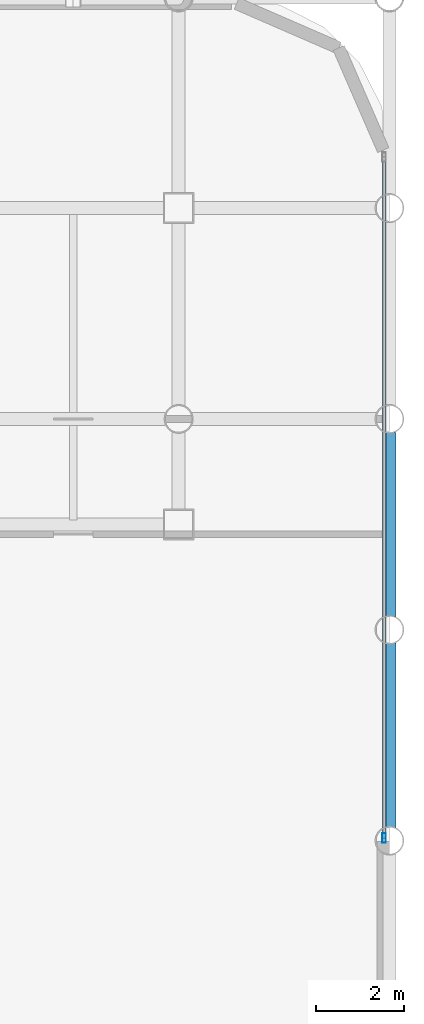
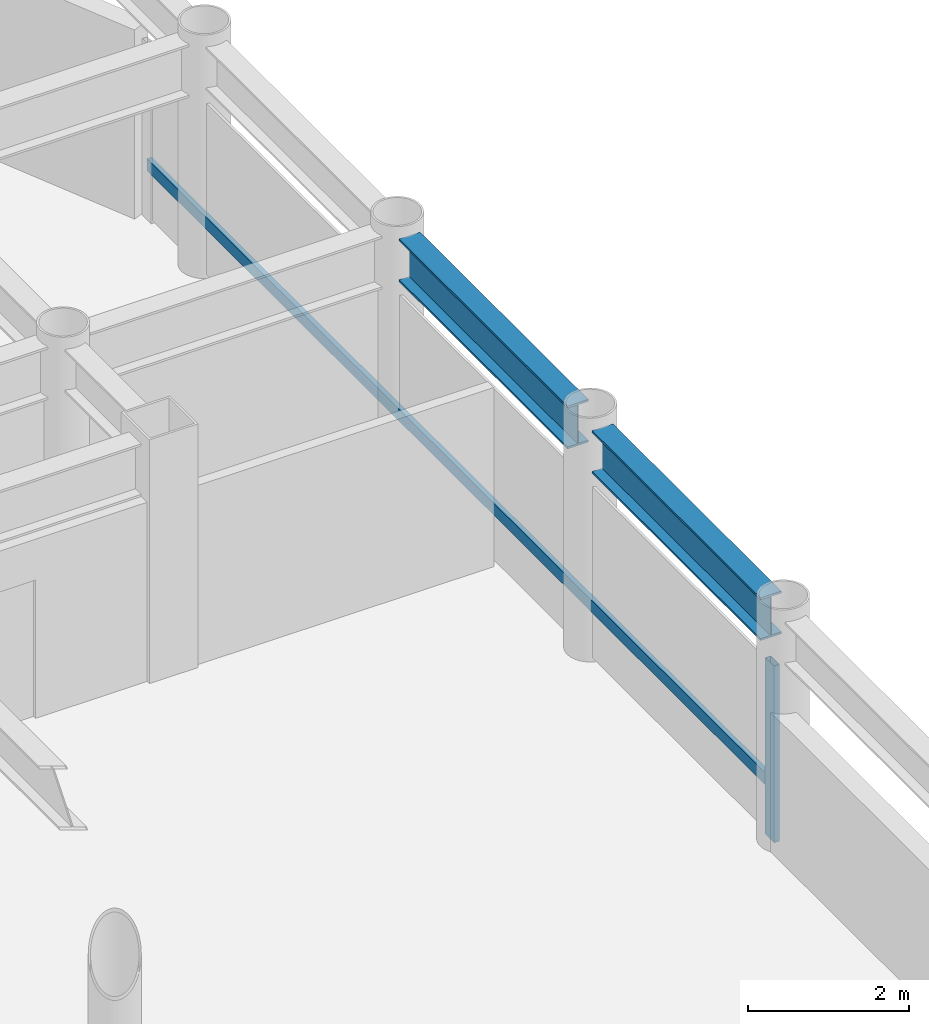
# One storey, part 8 of 20: 2 beams, 2 members, 1 element without a shape of its own.
"""IFC4 building model written with IfcOpenShell, lengths in metres."""

from ifc_helpers import new_model, si_unit, direction, frame, origin, origin_2d, place, context, subcontext, project, spatial, hollow_rectangle, i_section, extrude, material, layer, layer_set, material_profile, profile_set, type_object, element, aggregate, save


model = new_model("IFC4")

# Units and contexts
model_context = context("Model", 3, precision=1e-05, world=origin(), true_north=direction((0.0, 1.0)))
body_context = subcontext(model_context, "Body", "Model", "MODEL_VIEW")
ifc_project = project(units=[si_unit("LENGTHUNIT", "METRE"), si_unit("AREAUNIT", "SQUARE_METRE"), si_unit("VOLUMEUNIT", "CUBIC_METRE"), si_unit("PLANEANGLEUNIT", "RADIAN"), si_unit("MASSUNIT", "GRAM", prefix="KILO")], contexts=[model_context])

# Site, building, storey
site_placement = place(None, origin())
site = spatial("IfcSite", under=ifc_project, at=site_placement, CompositionType="ELEMENT")
building_placement = place(site_placement, origin())
building = spatial("IfcBuilding", under=site, at=building_placement, Name="Kallvorn Hotel Tower", CompositionType="ELEMENT")
storey_placement = place(building_placement, frame((0.0, 0.0, 172.89990234375)))
storey = spatial("IfcBuildingStorey", under=building, at=storey_placement, Name="L43", CompositionType="ELEMENT", Elevation=172.89990234375)

# Beams
ifc_material_1 = material(Name="Structural steel S355JR", Category="steel")
ifc_material_profile_1 = material_profile(ifc_material_1, i_section(OverallWidth=0.300048828125, OverallDepth=0.64990234375, WebThickness=0.01611328125, FlangeThickness=0.031005859375, at=origin_2d()), Name="HE 650 B")
ifc_profile_set_1 = profile_set([ifc_material_profile_1], Name="Structural steel S355JR")
beam_type = type_object("IfcBeamType", Name="BM_HE650B", PredefinedType="BEAM", material=ifc_profile_set_1)
beam_1_placement = place(storey_placement, frame((28.800048828125, 0.304931640625, 3.195068359375), z_axis=(0.0, 1.0, 0.0), x_axis=(-1.0, 0.0, 0.0)))
element("IfcBeam", 1, at=beam_1_placement, inside=storey, type_object=beam_type, Name="L44 Primary Y-Girder 147", PredefinedType="BEAM", context=body_context, shape_type="SweptSolid", body=[
    extrude(i_section(OverallWidth=0.300048828125, OverallDepth=0.64990234375, WebThickness=0.01611328125, FlangeThickness=0.031005859375, at=origin_2d()), origin(), (0.0, 0.0, 1.0), 4.190185546875),
])
beam_2_placement = place(storey_placement, frame((28.800048828125, 5.10498046875, 3.195068359375), z_axis=(0.0, 1.0, 0.0), x_axis=(-1.0, 0.0, 0.0)))
element("IfcBeam", 2, at=beam_2_placement, inside=storey, type_object=beam_type, Name="L44 Primary Y-Girder 148", PredefinedType="BEAM", context=body_context, shape_type="SweptSolid", body=[
    extrude(i_section(OverallWidth=0.300048828125, OverallDepth=0.64990234375, WebThickness=0.01611328125, FlangeThickness=0.031005859375, at=origin_2d()), origin(), (0.0, 0.0, 1.0), 4.18994140625),
])

# Curtain wall, members
ifc_material_2 = material(Name="Thermally broken black-anodised aluminium AA 6063-T6", Category="aluminium")
ifc_layer = layer(ifc_material_2, 0.2099609375)
ifc_layer_set = layer_set([ifc_layer], Name="CW_SYS_4_HOTEL_MID")
curtain_wall_type = type_object("IfcCurtainWallType", Name="CW_SYS_4_HOTEL_MID", PredefinedType="USERDEFINED", material=ifc_layer_set)
curtain_wall_placement = place(storey_placement, origin())
curtain_wall = element("IfcCurtainWall", 3, at=curtain_wall_placement, inside=storey, type_object=curtain_wall_type, Name="L43 Dark-Glass Curtain Wall CW-L43-EN", ObjectType="UNITISED CURTAIN WALL", PredefinedType="USERDEFINED")
ifc_material_3 = material(Name="Thermally broken black-anodised aluminium AA 6063-T6", Category="aluminium")
ifc_material_profile_2 = material_profile(ifc_material_3, hollow_rectangle(XDim=0.080078125, YDim=0.219970703125, WallThickness=0.0048828125, at=origin_2d()), Name="MUL 220x80")
ifc_profile_set_2 = profile_set([ifc_material_profile_2], Name="Thermally broken black-anodised aluminium AA 6063-T6")
member_type_1 = type_object("IfcMemberType", Name="CW_MULLION_220x80", PredefinedType="MULLION", material=ifc_profile_set_2)
member_1_placement = place(storey_placement, frame((28.679931640625, 0.06005859375, 0.02001953125), z_axis=(0.0, 0.0, 1.0), x_axis=(1.0, 0.0, 0.0)))
member_1 = element("IfcMember", 4, at=member_1_placement, type_object=member_type_1, Name="CW-L43-EN Mullion 00", PredefinedType="MULLION", context=body_context, shape_type="SweptSolid", body=[
    extrude(hollow_rectangle(XDim=0.080078125, YDim=0.219970703125, WallThickness=0.0048828125, at=origin_2d()), origin(), (0.0, 0.0, 1.0), 2.68017578125),
])
ifc_material_4 = material(Name="Thermally broken black-anodised aluminium AA 6063-T6", Category="aluminium")
ifc_material_profile_3 = material_profile(ifc_material_4, hollow_rectangle(XDim=0.070068359375, YDim=0.179931640625, WallThickness=0.00390625, at=origin_2d()), Name="TRN 180x70")
ifc_profile_set_3 = profile_set([ifc_material_profile_3], Name="Thermally broken black-anodised aluminium AA 6063-T6")
member_type_2 = type_object("IfcMemberType", Name="CW_TRANSOM_180x70", PredefinedType="USERDEFINED", material=ifc_profile_set_3)
member_2_placement = place(storey_placement, frame((28.679931640625, 0.06005859375, 0.85009765625), z_axis=(0.0, 1.0, 0.0), x_axis=(-1.0, 0.0, 0.0)))
member_2 = element("IfcMember", 5, at=member_2_placement, type_object=member_type_2, Name="CW-L43-EN Transom 00M", ObjectType="TRANSOM", PredefinedType="USERDEFINED", context=body_context, shape_type="SweptSolid", body=[
    extrude(hollow_rectangle(XDim=0.070068359375, YDim=0.179931640625, WallThickness=0.00390625, at=origin_2d()), origin(), (0.0, 0.0, 1.0), 15.5),
])
aggregate(curtain_wall, [member_1, member_2])

save(model, "model.ifc")
